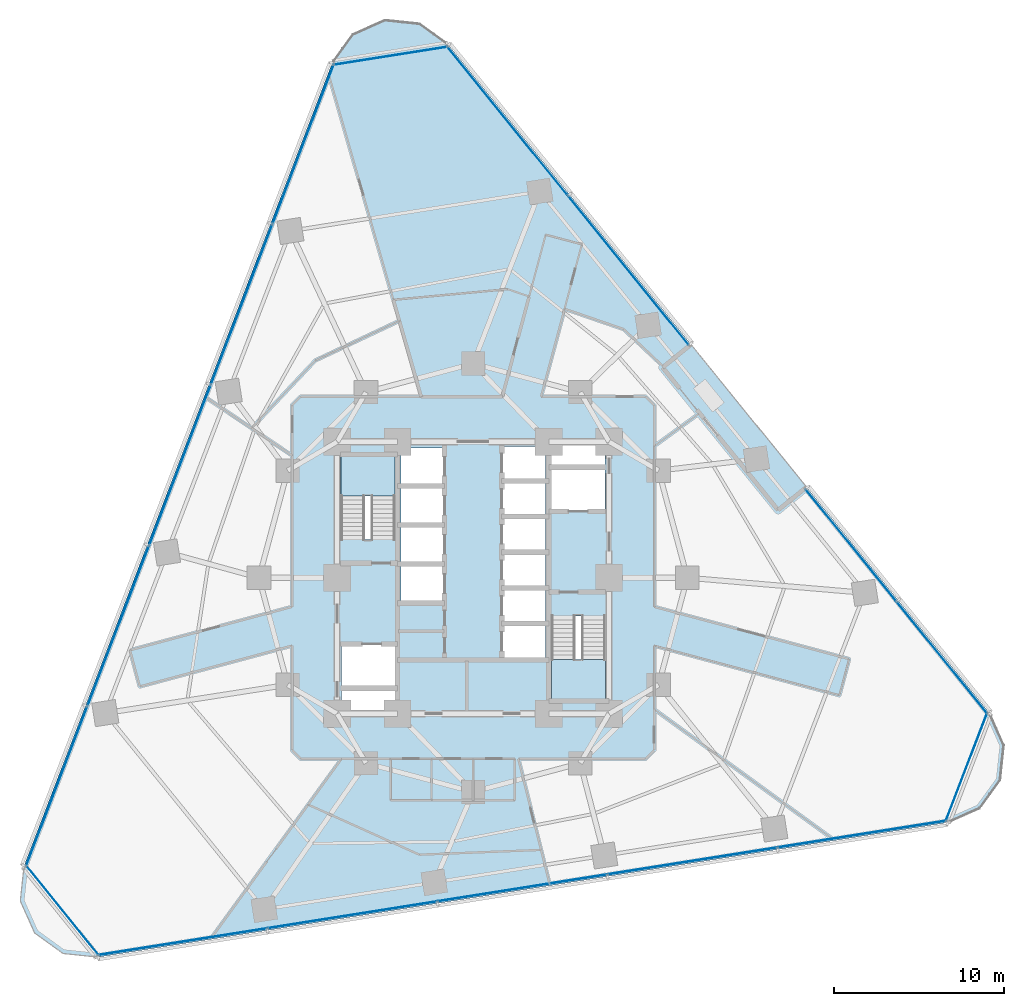
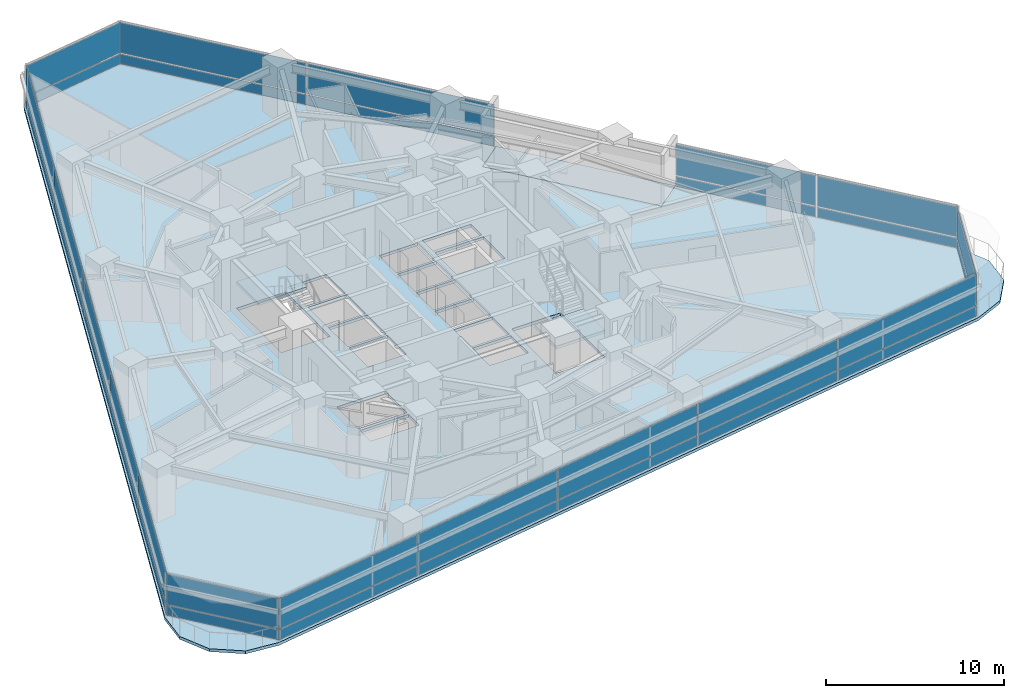
# One storey, part 6 of 14: 34 plates, 4 slabs, 9 elements without a shape of their own.
"""IFC4 building model written with IfcOpenShell, lengths in metres."""

from ifc_helpers import new_model, si_unit, direction, frame, origin, origin_2d, place, context, subcontext, project, spatial, polyline, rectangle, outline, extrude, material, layer, layer_set, type_object, element, aggregate, save


model = new_model("IFC4")

# Units and contexts
model_context = context("Model", 3, precision=1e-05, world=origin(), true_north=direction((0.0, 1.0)))
body_context = subcontext(model_context, "Body", "Model", "MODEL_VIEW")
ifc_project = project(units=[si_unit("LENGTHUNIT", "METRE"), si_unit("AREAUNIT", "SQUARE_METRE"), si_unit("VOLUMEUNIT", "CUBIC_METRE"), si_unit("PLANEANGLEUNIT", "RADIAN"), si_unit("MASSUNIT", "GRAM", prefix="KILO")], contexts=[model_context])

# Site, building, storey
site_placement = place(None, origin())
site = spatial("IfcSite", under=ifc_project, at=site_placement, CompositionType="ELEMENT")
building_placement = place(site_placement, origin())
building = spatial("IfcBuilding", under=site, at=building_placement, Name="Terralouvre Media Tower", CompositionType="ELEMENT")
storey_placement = place(building_placement, frame((0.0, 0.0, 63.0)))
storey = spatial("IfcBuildingStorey", under=building, at=storey_placement, Name="L15", CompositionType="ELEMENT", Elevation=63.0)

# Slabs
ifc_material_1 = material(Name="Concrete C40/50", Category="concrete")
ifc_layer_1 = layer(ifc_material_1, 0.199951171875, Name="Composite Tower Floor Slab S-TYP200")
ifc_layer_set_1 = layer_set([ifc_layer_1], Name="Concrete C40/50")
slab_type_1 = type_object("IfcSlabType", Name="Composite Tower Floor Slab S-TYP200", PredefinedType="FLOOR", material=ifc_layer_set_1)
slab_1_placement = place(storey_placement, frame((0.0, 0.0, -0.199951171875), z_axis=(0.0, 0.0, 1.0), x_axis=(0.987688340595, 0.15643446504, 0.0)))
element("IfcSlab", 1, at=slab_1_placement, inside=storey, type_object=slab_type_1, Name="L15 Structural Floor Slab", PredefinedType="FLOOR", context=body_context, shape_type="SweptSolid", body=[
    extrude(outline(polyline([(28.766845703125, -12.62841796875), (20.206787109375, 2.19775390625), (18.3447265625, 1.122802734375), (12.94482421875, 10.475830078125), (14.806884765625, 11.551025390625), (3.44677734375, 31.22705078125), (1.989990234375, 32.683837890625), (0.0, 33.217041015625), (-1.989990234375, 32.683837890625), (-3.44677734375, 31.22705078125), (-28.766845703125, -12.62841796875), (-29.300048828125, -14.618408203125), (-28.766845703125, -16.6083984375), (-27.31005859375, -18.065185546875), (-25.320068359375, -18.598388671875), (25.320068359375, -18.598388671875), (27.31005859375, -18.065185546875), (28.766845703125, -16.6083984375), (29.300048828125, -14.618408203125), (28.766845703125, -12.62841796875)]), holes=[polyline([(-5.763671875, -6.984375), (-8.874755859375, -6.49169921875), (-8.68701171875, -5.306396484375), (-5.575927734375, -5.799072265625), (-5.763671875, -6.984375)]), polyline([(-5.54443359375, -5.6015625), (-8.65576171875, -5.10888671875), (-8.2724609375, -2.68896484375), (-5.161376953125, -3.181884765625), (-5.54443359375, -5.6015625)]), polyline([(-1.95068359375, -1.128662109375), (-4.419921875, -0.73779296875), (-4.0849609375, 1.3759765625), (-1.61572265625, 0.98486328125), (-1.95068359375, -1.128662109375)]), polyline([(-1.5908203125, 1.142822265625), (-4.06005859375, 1.533935546875), (-3.725341796875, 3.647705078125), (-1.256103515625, 3.256591796875), (-1.5908203125, 1.142822265625)]), polyline([(4.44482421875, 0.895751953125), (1.9755859375, 1.286865234375), (2.279052734375, 3.202880859375), (4.748291015625, 2.811767578125), (4.44482421875, 0.895751953125)]), polyline([(-1.23095703125, 3.41455078125), (-3.7001953125, 3.8056640625), (-3.365478515625, 5.91943359375), (-0.896240234375, 5.5283203125), (-1.23095703125, 3.41455078125)]), polyline([(-4.192138671875, 2.93701171875), (-7.3330078125, 3.434326171875), (-6.548583984375, 8.3876953125), (-3.40771484375, 7.89013671875), (-4.192138671875, 2.93701171875)]), polyline([(-0.87109375, 5.686279296875), (-3.34033203125, 6.077392578125), (-3.005615234375, 8.19091796875), (-0.536376953125, 7.800048828125), (-0.87109375, 5.686279296875)]), polyline([(4.192138671875, -2.93701171875), (7.3330078125, -3.434326171875), (6.548583984375, -8.3876953125), (3.40771484375, -7.89013671875), (4.192138671875, -2.93701171875)]), polyline([(3.459228515625, -5.32666015625), (0.989990234375, -4.935546875), (1.29345703125, -3.01953125), (3.7626953125, -3.41064453125), (3.459228515625, -5.32666015625)]), polyline([(3.787841796875, -3.252685546875), (1.318603515625, -2.861572265625), (1.6220703125, -0.9453125), (4.09130859375, -1.33642578125), (3.787841796875, -3.252685546875)]), polyline([(4.1162109375, -1.178466796875), (1.647216796875, -0.787353515625), (1.95068359375, 1.128662109375), (4.419921875, 0.73779296875), (4.1162109375, -1.178466796875)]), polyline([(4.7734375, 2.9697265625), (2.30419921875, 3.36083984375), (2.607666015625, 5.277099609375), (5.076904296875, 4.885986328125), (4.7734375, 2.9697265625)]), polyline([(8.2724609375, 2.68896484375), (5.161376953125, 3.181884765625), (5.54443359375, 5.6015625), (8.65576171875, 5.10888671875), (8.2724609375, 2.68896484375)]), polyline([(5.101806640625, 5.0439453125), (2.632568359375, 5.43505859375), (2.93603515625, 7.35107421875), (5.4052734375, 6.960205078125), (5.101806640625, 5.0439453125)]), polyline([(8.68701171875, 5.306396484375), (5.575927734375, 5.799072265625), (5.763671875, 6.984375), (8.874755859375, 6.49169921875), (8.68701171875, 5.306396484375)])]), origin(), (0.0, 0.0, 1.0), 0.199951171875),
])
ifc_material_2 = material(Name="Concrete C45/55", Category="concrete")
ifc_layer_2 = layer(ifc_material_2, 0.2099609375, Name="Planted Sky-Garden External Deck S-TER210")
ifc_layer_set_2 = layer_set([ifc_layer_2], Name="Concrete C45/55")
slab_type_2 = type_object("IfcSlabType", Name="Planted Sky-Garden External Deck S-TER210", PredefinedType="FLOOR", material=ifc_layer_set_2)
slab_2_placement = place(storey_placement, frame((0.0, 0.0, -0.2099609375), z_axis=(0.0, 0.0, 1.0), x_axis=(0.987688340595, 0.15643446504, 0.0)))
element("IfcSlab", 2, at=slab_2_placement, inside=storey, type_object=slab_type_2, Name="L15 Helical Planted Sky-Garden Deck 03", PredefinedType="FLOOR", context=body_context, shape_type="SweptSolid", body=[
    extrude(outline(polyline([(20.206787109375, 2.19775390625), (14.806884765625, 11.551025390625), (12.94482421875, 10.475830078125), (18.3447265625, 1.122802734375), (20.206787109375, 2.19775390625)])), origin(), (0.0, 0.0, 1.0), 0.2099609375),
])

# Stair, slab
ifc_material_3 = material(Name="Concrete C45/55", Category="concrete")
stair_type_1 = type_object("IfcStairType", Name="Dogleg Stair Assembly ST-01", PredefinedType="HALF_TURN_STAIR", material=ifc_material_3)
stair_1_placement = place(storey_placement, origin())
stair_1 = element("IfcStair", 3, at=stair_1_placement, inside=storey, type_object=stair_type_1, Name="L15 Core Pressurised Exit Stair ST-01", PredefinedType="HALF_TURN_STAIR")
ifc_material_4 = material(Name="Concrete C45/55", Category="concrete")
ifc_layer_3 = layer(ifc_material_4, 0.199951171875, Name="Reinforced Concrete Stair Half-Landing SL-LD1")
ifc_layer_set_3 = layer_set([ifc_layer_3], Name="Concrete C45/55")
slab_type_3 = type_object("IfcSlabType", Name="Reinforced Concrete Stair Half-Landing SL-LD1", PredefinedType="LANDING", material=ifc_layer_set_3)
slab_3_placement = place(storey_placement, frame((0.0, 0.0, 1.64990234375)))
slab_3 = element("IfcSlab", 4, at=slab_3_placement, type_object=slab_type_3, Name="ST-01 landing 1", PredefinedType="LANDING", context=body_context, shape_type="SweptSolid", body=[
    extrude(outline(polyline([(-4.60009765625, 4.820068359375), (-4.60009765625, 7.260009765625), (-7.780029296875, 7.260009765625), (-7.780029296875, 4.820068359375), (-4.60009765625, 4.820068359375)])), origin(), (0.0, 0.0, 1.0), 0.2001953125),
])
aggregate(stair_1, [slab_3])

ifc_material_5 = material(Name="Concrete C45/55", Category="concrete")
stair_type_2 = type_object("IfcStairType", Name="Dogleg Stair Assembly ST-02", PredefinedType="HALF_TURN_STAIR", material=ifc_material_5)
stair_2_placement = place(storey_placement, origin())
stair_2 = element("IfcStair", 5, at=stair_2_placement, inside=storey, type_object=stair_type_2, Name="L15 Core Pressurised Exit Stair ST-02", PredefinedType="HALF_TURN_STAIR")
slab_4_placement = place(storey_placement, frame((0.0, 0.0, 1.64990234375)))
slab_4 = element("IfcSlab", 6, at=slab_4_placement, type_object=slab_type_3, Name="ST-02 landing 1", PredefinedType="LANDING", context=body_context, shape_type="SweptSolid", body=[
    extrude(outline(polyline([(4.60009765625, -4.820068359375), (4.60009765625, -7.260009765625), (7.780029296875, -7.260009765625), (7.780029296875, -4.820068359375), (4.60009765625, -4.820068359375)])), origin(), (0.0, 0.0, 1.0), 0.2001953125),
])
aggregate(stair_2, [slab_4])

# Curtain wall, plates
ifc_material_6 = material(Name="Low-iron laminated double glazing with solar-control coating", Category="glass")
ifc_layer_4 = layer(ifc_material_6, 0.1650390625, Name="Rounded Wind-Corner Curved Glazing CW-04")
ifc_layer_set_4 = layer_set([ifc_layer_4], Name="Low-iron laminated double glazing with solar-control coating")
curtain_wall_type_1 = type_object("IfcCurtainWallType", Name="Rounded Wind-Corner Curved Glazing CW-04", PredefinedType="NOTDEFINED", material=ifc_layer_set_4)
curtain_wall_1_placement = place(storey_placement, origin())
curtain_wall_1 = element("IfcCurtainWall", 7, at=curtain_wall_1_placement, inside=storey, type_object=curtain_wall_type_1, Name="L15 Rounded Wind-Corner Curtain Wall C0", PredefinedType="NOTDEFINED")
ifc_material_7 = material(Name="Low-iron laminated double glazing with solar-control coating", Category="glass")
ifc_layer_5 = layer(ifc_material_7, 0.0400390625, Name="Rounded Corner Laminated Vision Panel CWP-03")
ifc_layer_set_5 = layer_set([ifc_layer_5], Name="Low-iron laminated double glazing with solar-control coating")
plate_type_1 = type_object("IfcPlateType", Name="Rounded Corner Laminated Vision Panel CWP-03", PredefinedType="CURTAIN_PANEL", material=ifc_layer_set_5)
plate_1_placement = place(storey_placement, frame((-24.1591796875, -19.563720703125, 0.074951171875), z_axis=(0.0, 0.0, 1.0), x_axis=(0.629320031936, -0.777146252262, 0.0)))
plate_1 = element("IfcPlate", 8, at=plate_1_placement, type_object=plate_type_1, Name="CW-04 panel 1.1", PredefinedType="CURTAIN_PANEL", context=body_context, shape_type="SweptSolid", body=[
    extrude(rectangle(XDim=6.74365234375, YDim=0.035888671875, at=origin_2d()), origin(), (0.0, 0.0, 1.0), 0.6875),
])
plate_2_placement = place(storey_placement, frame((-24.1591796875, -19.563720703125, 0.837646484375), z_axis=(0.0, 0.0, 1.0), x_axis=(0.629320031936, -0.777146252262, 0.0)))
plate_2 = element("IfcPlate", 9, at=plate_2_placement, type_object=plate_type_1, Name="CW-04 panel 1.2", PredefinedType="CURTAIN_PANEL", context=body_context, shape_type="SweptSolid", body=[
    extrude(rectangle(XDim=6.74365234375, YDim=0.035888671875, at=origin_2d()), origin(), (0.0, 0.0, 1.0), 2.08740234375),
])
aggregate(curtain_wall_1, [plate_1, plate_2])

curtain_wall_2_placement = place(storey_placement, origin())
curtain_wall_2 = element("IfcCurtainWall", 10, at=curtain_wall_2_placement, inside=storey, type_object=curtain_wall_type_1, Name="L15 Rounded Wind-Corner Curtain Wall C1", PredefinedType="NOTDEFINED")
plate_3_placement = place(storey_placement, frame((29.022216796875, -11.140625, 0.074951171875), z_axis=(0.0, 0.0, 1.0), x_axis=(0.358367472863, 0.933580609478, 0.0)))
plate_3 = element("IfcPlate", 11, at=plate_3_placement, type_object=plate_type_1, Name="CW-04 panel 1.1", PredefinedType="CURTAIN_PANEL", context=body_context, shape_type="SweptSolid", body=[
    extrude(rectangle(XDim=6.74365234375, YDim=0.035888671875, at=origin_2d()), origin(), (0.0, 0.0, 1.0), 0.6875),
])
plate_4_placement = place(storey_placement, frame((29.022216796875, -11.140625, 0.837646484375), z_axis=(0.0, 0.0, 1.0), x_axis=(0.358367472863, 0.933580609478, 0.0)))
plate_4 = element("IfcPlate", 12, at=plate_4_placement, type_object=plate_type_1, Name="CW-04 panel 1.2", PredefinedType="CURTAIN_PANEL", context=body_context, shape_type="SweptSolid", body=[
    extrude(rectangle(XDim=6.74365234375, YDim=0.035888671875, at=origin_2d()), origin(), (0.0, 0.0, 1.0), 2.08740234375),
])
aggregate(curtain_wall_2, [plate_3, plate_4])

curtain_wall_3_placement = place(storey_placement, origin())
curtain_wall_3 = element("IfcCurtainWall", 13, at=curtain_wall_3_placement, inside=storey, type_object=curtain_wall_type_1, Name="L15 Rounded Wind-Corner Curtain Wall C2", PredefinedType="NOTDEFINED")
plate_5_placement = place(storey_placement, frame((-4.863037109375, 30.704345703125, 0.074951171875), z_axis=(0.0, 0.0, 1.0), x_axis=(-0.987688353034, -0.156434386502, 0.0)))
plate_5 = element("IfcPlate", 14, at=plate_5_placement, type_object=plate_type_1, Name="CW-04 panel 1.1", PredefinedType="CURTAIN_PANEL", context=body_context, shape_type="SweptSolid", body=[
    extrude(rectangle(XDim=6.74365234375, YDim=0.035888671875, at=origin_2d()), origin(), (0.0, 0.0, 1.0), 0.6875),
])
plate_6_placement = place(storey_placement, frame((-4.863037109375, 30.704345703125, 0.837646484375), z_axis=(0.0, 0.0, 1.0), x_axis=(-0.987688353034, -0.156434386502, 0.0)))
plate_6 = element("IfcPlate", 15, at=plate_6_placement, type_object=plate_type_1, Name="CW-04 panel 1.2", PredefinedType="CURTAIN_PANEL", context=body_context, shape_type="SweptSolid", body=[
    extrude(rectangle(XDim=6.74365234375, YDim=0.035888671875, at=origin_2d()), origin(), (0.0, 0.0, 1.0), 2.08740234375),
])
aggregate(curtain_wall_3, [plate_5, plate_6])

ifc_material_8 = material(Name="Low-iron laminated double glazing with solar-control coating", Category="glass")
ifc_layer_6 = layer(ifc_material_8, 0.1650390625, Name="Lower Media Tower Unitised Curtain Wall CW-02")
ifc_layer_set_6 = layer_set([ifc_layer_6], Name="Low-iron laminated double glazing with solar-control coating")
curtain_wall_type_2 = type_object("IfcCurtainWallType", Name="Lower Media Tower Unitised Curtain Wall CW-02", PredefinedType="NOTDEFINED", material=ifc_layer_set_6)
curtain_wall_4_placement = place(storey_placement, origin())
curtain_wall_4 = element("IfcCurtainWall", 16, at=curtain_wall_4_placement, inside=storey, type_object=curtain_wall_type_2, Name="L15 Facade Curtain Wall F0", PredefinedType="NOTDEFINED")
ifc_material_9 = material(Name="Low-iron laminated double glazing with solar-control coating", Category="glass")
ifc_layer_7 = layer(ifc_material_9, 0.035888671875, Name="Vision Double-Glazed Unit CWP-01")
ifc_layer_set_7 = layer_set([ifc_layer_7], Name="Low-iron laminated double glazing with solar-control coating")
plate_type_2 = type_object("IfcPlateType", Name="Vision Double-Glazed Unit CWP-01", PredefinedType="CURTAIN_PANEL", material=ifc_layer_set_7)
plate_7_placement = place(storey_placement, frame((-17.097412109375, -21.416748046875, 0.074951171875), z_axis=(0.0, 0.0, 1.0), x_axis=(0.987688340934, 0.156434462903, 0.0)))
plate_7 = element("IfcPlate", 17, at=plate_7_placement, type_object=plate_type_2, Name="CW-02 panel 1.1", PredefinedType="CURTAIN_PANEL", context=body_context, shape_type="SweptSolid", body=[
    extrude(rectangle(XDim=10.015380859375, YDim=0.035888671875, at=origin_2d()), origin(), (0.0, 0.0, 1.0), 0.6875),
])
plate_8_placement = place(storey_placement, frame((-17.097412109375, -21.416748046875, 0.837646484375), z_axis=(0.0, 0.0, 1.0), x_axis=(0.987688340934, 0.156434462903, 0.0)))
plate_8 = element("IfcPlate", 18, at=plate_8_placement, type_object=plate_type_2, Name="CW-02 panel 1.2", PredefinedType="CURTAIN_PANEL", context=body_context, shape_type="SweptSolid", body=[
    extrude(rectangle(XDim=10.015380859375, YDim=0.035888671875, at=origin_2d()), origin(), (0.0, 0.0, 1.0), 2.08740234375),
])
plate_9_placement = place(storey_placement, frame((-7.112548828125, -19.83544921875, 0.074951171875), z_axis=(0.0, 0.0, 1.0), x_axis=(0.987688340934, 0.156434462903, 0.0)))
plate_9 = element("IfcPlate", 19, at=plate_9_placement, type_object=plate_type_2, Name="CW-02 panel 2.1", PredefinedType="CURTAIN_PANEL", context=body_context, shape_type="SweptSolid", body=[
    extrude(rectangle(XDim=10.052978515625, YDim=0.035888671875, at=origin_2d()), origin(), (0.0, 0.0, 1.0), 0.6875),
])
plate_10_placement = place(storey_placement, frame((-7.112548828125, -19.83544921875, 0.837646484375), z_axis=(0.0, 0.0, 1.0), x_axis=(0.987688340934, 0.156434462903, 0.0)))
plate_10 = element("IfcPlate", 20, at=plate_10_placement, type_object=plate_type_2, Name="CW-02 panel 2.2", PredefinedType="CURTAIN_PANEL", context=body_context, shape_type="SweptSolid", body=[
    extrude(rectangle(XDim=10.052978515625, YDim=0.035888671875, at=origin_2d()), origin(), (0.0, 0.0, 1.0), 2.08740234375),
])
plate_11_placement = place(storey_placement, frame((2.890625, -18.2509765625, 0.074951171875), z_axis=(0.0, 0.0, 1.0), x_axis=(0.987688340934, 0.156434462903, 0.0)))
plate_11 = element("IfcPlate", 21, at=plate_11_placement, type_object=plate_type_2, Name="CW-02 panel 3.1", PredefinedType="CURTAIN_PANEL", context=body_context, shape_type="SweptSolid", body=[
    extrude(rectangle(XDim=10.052978515625, YDim=0.035888671875, at=origin_2d()), origin(), (0.0, 0.0, 1.0), 0.6875),
])
plate_12_placement = place(storey_placement, frame((2.890625, -18.2509765625, 0.837646484375), z_axis=(0.0, 0.0, 1.0), x_axis=(0.987688340934, 0.156434462903, 0.0)))
plate_12 = element("IfcPlate", 22, at=plate_12_placement, type_object=plate_type_2, Name="CW-02 panel 3.2", PredefinedType="CURTAIN_PANEL", context=body_context, shape_type="SweptSolid", body=[
    extrude(rectangle(XDim=10.052978515625, YDim=0.035888671875, at=origin_2d()), origin(), (0.0, 0.0, 1.0), 2.08740234375),
])
plate_13_placement = place(storey_placement, frame((12.89404296875, -16.666748046875, 0.074951171875), z_axis=(0.0, 0.0, 1.0), x_axis=(0.987688340934, 0.156434462903, 0.0)))
plate_13 = element("IfcPlate", 23, at=plate_13_placement, type_object=plate_type_2, Name="CW-02 panel 4.1", PredefinedType="CURTAIN_PANEL", context=body_context, shape_type="SweptSolid", body=[
    extrude(rectangle(XDim=10.052978515625, YDim=0.035888671875, at=origin_2d()), origin(), (0.0, 0.0, 1.0), 0.6875),
])
plate_14_placement = place(storey_placement, frame((12.89404296875, -16.666748046875, 0.837646484375), z_axis=(0.0, 0.0, 1.0), x_axis=(0.987688340934, 0.156434462903, 0.0)))
plate_14 = element("IfcPlate", 24, at=plate_14_placement, type_object=plate_type_2, Name="CW-02 panel 4.2", PredefinedType="CURTAIN_PANEL", context=body_context, shape_type="SweptSolid", body=[
    extrude(rectangle(XDim=10.052978515625, YDim=0.035888671875, at=origin_2d()), origin(), (0.0, 0.0, 1.0), 2.08740234375),
])
plate_15_placement = place(storey_placement, frame((22.878662109375, -15.085205078125, 0.074951171875), z_axis=(0.0, 0.0, 1.0), x_axis=(0.987688340934, 0.156434462903, 0.0)))
plate_15 = element("IfcPlate", 25, at=plate_15_placement, type_object=plate_type_2, Name="CW-02 panel 5.1", PredefinedType="CURTAIN_PANEL", context=body_context, shape_type="SweptSolid", body=[
    extrude(rectangle(XDim=10.015380859375, YDim=0.035888671875, at=origin_2d()), origin(), (0.0, 0.0, 1.0), 0.6875),
])
plate_16_placement = place(storey_placement, frame((22.878662109375, -15.085205078125, 0.837646484375), z_axis=(0.0, 0.0, 1.0), x_axis=(0.987688340934, 0.156434462903, 0.0)))
plate_16 = element("IfcPlate", 26, at=plate_16_placement, type_object=plate_type_2, Name="CW-02 panel 5.2", PredefinedType="CURTAIN_PANEL", context=body_context, shape_type="SweptSolid", body=[
    extrude(rectangle(XDim=10.015380859375, YDim=0.035888671875, at=origin_2d()), origin(), (0.0, 0.0, 1.0), 2.08740234375),
])
aggregate(curtain_wall_4, [plate_7, plate_8, plate_9, plate_10, plate_11, plate_12, plate_13, plate_14, plate_15, plate_16])

curtain_wall_5_placement = place(storey_placement, origin())
curtain_wall_5 = element("IfcCurtainWall", 27, at=curtain_wall_5_placement, inside=storey, type_object=curtain_wall_type_2, Name="L15 Left Flank Curtain Wall F1", PredefinedType="NOTDEFINED")
plate_17_placement = place(storey_placement, frame((27.589599609375, -4.707763671875, 0.074951171875), z_axis=(0.0, 0.0, 1.0), x_axis=(-0.62932017875, 0.777146133374, 0.0)))
plate_17 = element("IfcPlate", 28, at=plate_17_placement, type_object=plate_type_2, Name="CW-02 panel 1.1", PredefinedType="CURTAIN_PANEL", context=body_context, shape_type="SweptSolid", body=[
    extrude(rectangle(XDim=8.447509765625, YDim=0.035888671875, at=origin_2d()), origin(), (0.0, 0.0, 1.0), 0.6875),
])
plate_18_placement = place(storey_placement, frame((27.589599609375, -4.707763671875, 0.837646484375), z_axis=(0.0, 0.0, 1.0), x_axis=(-0.62932017875, 0.777146133374, 0.0)))
plate_18 = element("IfcPlate", 29, at=plate_18_placement, type_object=plate_type_2, Name="CW-02 panel 1.2", PredefinedType="CURTAIN_PANEL", context=body_context, shape_type="SweptSolid", body=[
    extrude(rectangle(XDim=8.447509765625, YDim=0.035888671875, at=origin_2d()), origin(), (0.0, 0.0, 1.0), 2.08740234375),
])
plate_19_placement = place(storey_placement, frame((22.226318359375, 1.91552734375, 0.074951171875), z_axis=(0.0, 0.0, 1.0), x_axis=(-0.62932017875, 0.777146133374, 0.0)))
plate_19 = element("IfcPlate", 30, at=plate_19_placement, type_object=plate_type_2, Name="CW-02 panel 2.1", PredefinedType="CURTAIN_PANEL", context=body_context, shape_type="SweptSolid", body=[
    extrude(rectangle(XDim=8.447509765625, YDim=0.035888671875, at=origin_2d()), origin(), (0.0, 0.0, 1.0), 0.6875),
])
plate_20_placement = place(storey_placement, frame((22.226318359375, 1.91552734375, 0.837646484375), z_axis=(0.0, 0.0, 1.0), x_axis=(-0.62932017875, 0.777146133374, 0.0)))
plate_20 = element("IfcPlate", 31, at=plate_20_placement, type_object=plate_type_2, Name="CW-02 panel 2.2", PredefinedType="CURTAIN_PANEL", context=body_context, shape_type="SweptSolid", body=[
    extrude(rectangle(XDim=8.447509765625, YDim=0.035888671875, at=origin_2d()), origin(), (0.0, 0.0, 1.0), 2.08740234375),
])
aggregate(curtain_wall_5, [plate_17, plate_18, plate_19, plate_20])

curtain_wall_6_placement = place(storey_placement, origin())
curtain_wall_6 = element("IfcCurtainWall", 32, at=curtain_wall_6_placement, inside=storey, type_object=curtain_wall_type_2, Name="L15 Right Flank Curtain Wall F1", PredefinedType="NOTDEFINED")
plate_21_placement = place(storey_placement, frame((9.137939453125, 18.078125, 0.074951171875), z_axis=(0.0, 0.0, 1.0), x_axis=(-0.629320595049, 0.777145796262, 0.0)))
plate_21 = element("IfcPlate", 33, at=plate_21_placement, type_object=plate_type_2, Name="CW-02 panel 1.1", PredefinedType="CURTAIN_PANEL", context=body_context, shape_type="SweptSolid", body=[
    extrude(rectangle(XDim=11.24755859375, YDim=0.035888671875, at=origin_2d()), origin(), (0.0, 0.0, 1.0), 0.6875),
])
plate_22_placement = place(storey_placement, frame((9.137939453125, 18.078125, 0.837646484375), z_axis=(0.0, 0.0, 1.0), x_axis=(-0.629320595049, 0.777145796262, 0.0)))
plate_22 = element("IfcPlate", 34, at=plate_22_placement, type_object=plate_type_2, Name="CW-02 panel 1.2", PredefinedType="CURTAIN_PANEL", context=body_context, shape_type="SweptSolid", body=[
    extrude(rectangle(XDim=11.24755859375, YDim=0.035888671875, at=origin_2d()), origin(), (0.0, 0.0, 1.0), 2.08740234375),
])
plate_23_placement = place(storey_placement, frame((2.012451171875, 26.87744140625, 0.074951171875), z_axis=(0.0, 0.0, 1.0), x_axis=(-0.629320595049, 0.777145796262, 0.0)))
plate_23 = element("IfcPlate", 35, at=plate_23_placement, type_object=plate_type_2, Name="CW-02 panel 2.1", PredefinedType="CURTAIN_PANEL", context=body_context, shape_type="SweptSolid", body=[
    extrude(rectangle(XDim=11.24755859375, YDim=0.035888671875, at=origin_2d()), origin(), (0.0, 0.0, 1.0), 0.6875),
])
plate_24_placement = place(storey_placement, frame((2.012451171875, 26.87744140625, 0.837646484375), z_axis=(0.0, 0.0, 1.0), x_axis=(-0.629320595049, 0.777145796262, 0.0)))
plate_24 = element("IfcPlate", 36, at=plate_24_placement, type_object=plate_type_2, Name="CW-02 panel 2.2", PredefinedType="CURTAIN_PANEL", context=body_context, shape_type="SweptSolid", body=[
    extrude(rectangle(XDim=11.24755859375, YDim=0.035888671875, at=origin_2d()), origin(), (0.0, 0.0, 1.0), 2.08740234375),
])
aggregate(curtain_wall_6, [plate_21, plate_22, plate_23, plate_24])

curtain_wall_7_placement = place(storey_placement, origin())
curtain_wall_7 = element("IfcCurtainWall", 37, at=curtain_wall_7_placement, inside=storey, type_object=curtain_wall_type_2, Name="L15 Facade Curtain Wall F2", PredefinedType="NOTDEFINED")
plate_25_placement = place(storey_placement, frame((-9.998779296875, 25.51513671875, 0.074951171875), z_axis=(0.0, 0.0, 1.0), x_axis=(-0.358367917006, -0.933580438988, 0.0)))
plate_25 = element("IfcPlate", 38, at=plate_25_placement, type_object=plate_type_2, Name="CW-02 panel 1.1", PredefinedType="CURTAIN_PANEL", context=body_context, shape_type="SweptSolid", body=[
    extrude(rectangle(XDim=10.015380859375, YDim=0.035888671875, at=origin_2d()), origin(), (0.0, 0.0, 1.0), 0.6875),
])
plate_26_placement = place(storey_placement, frame((-9.998779296875, 25.51513671875, 0.837646484375), z_axis=(0.0, 0.0, 1.0), x_axis=(-0.358367917006, -0.933580438988, 0.0)))
plate_26 = element("IfcPlate", 39, at=plate_26_placement, type_object=plate_type_2, Name="CW-02 panel 1.2", PredefinedType="CURTAIN_PANEL", context=body_context, shape_type="SweptSolid", body=[
    extrude(rectangle(XDim=10.015380859375, YDim=0.035888671875, at=origin_2d()), origin(), (0.0, 0.0, 1.0), 2.08740234375),
])
plate_27_placement = place(storey_placement, frame((-13.62158203125, 16.077392578125, 0.074951171875), z_axis=(0.0, 0.0, 1.0), x_axis=(-0.358367917006, -0.933580438988, 0.0)))
plate_27 = element("IfcPlate", 40, at=plate_27_placement, type_object=plate_type_2, Name="CW-02 panel 2.1", PredefinedType="CURTAIN_PANEL", context=body_context, shape_type="SweptSolid", body=[
    extrude(rectangle(XDim=10.052978515625, YDim=0.035888671875, at=origin_2d()), origin(), (0.0, 0.0, 1.0), 0.6875),
])
plate_28_placement = place(storey_placement, frame((-13.62158203125, 16.077392578125, 0.837646484375), z_axis=(0.0, 0.0, 1.0), x_axis=(-0.358367917006, -0.933580438988, 0.0)))
plate_28 = element("IfcPlate", 41, at=plate_28_placement, type_object=plate_type_2, Name="CW-02 panel 2.2", PredefinedType="CURTAIN_PANEL", context=body_context, shape_type="SweptSolid", body=[
    extrude(rectangle(XDim=10.052978515625, YDim=0.035888671875, at=origin_2d()), origin(), (0.0, 0.0, 1.0), 2.08740234375),
])
plate_29_placement = place(storey_placement, frame((-17.251220703125, 6.6220703125, 0.074951171875), z_axis=(0.0, 0.0, 1.0), x_axis=(-0.358367917006, -0.933580438988, 0.0)))
plate_29 = element("IfcPlate", 42, at=plate_29_placement, type_object=plate_type_2, Name="CW-02 panel 3.1", PredefinedType="CURTAIN_PANEL", context=body_context, shape_type="SweptSolid", body=[
    extrude(rectangle(XDim=10.052978515625, YDim=0.035888671875, at=origin_2d()), origin(), (0.0, 0.0, 1.0), 0.6875),
])
plate_30_placement = place(storey_placement, frame((-17.251220703125, 6.6220703125, 0.837646484375), z_axis=(0.0, 0.0, 1.0), x_axis=(-0.358367917006, -0.933580438988, 0.0)))
plate_30 = element("IfcPlate", 43, at=plate_30_placement, type_object=plate_type_2, Name="CW-02 panel 3.2", PredefinedType="CURTAIN_PANEL", context=body_context, shape_type="SweptSolid", body=[
    extrude(rectangle(XDim=10.052978515625, YDim=0.035888671875, at=origin_2d()), origin(), (0.0, 0.0, 1.0), 2.08740234375),
])
plate_31_placement = place(storey_placement, frame((-20.880615234375, -2.833251953125, 0.074951171875), z_axis=(0.0, 0.0, 1.0), x_axis=(-0.358367917006, -0.933580438988, 0.0)))
plate_31 = element("IfcPlate", 44, at=plate_31_placement, type_object=plate_type_2, Name="CW-02 panel 4.1", PredefinedType="CURTAIN_PANEL", context=body_context, shape_type="SweptSolid", body=[
    extrude(rectangle(XDim=10.052978515625, YDim=0.035888671875, at=origin_2d()), origin(), (0.0, 0.0, 1.0), 0.6875),
])
plate_32_placement = place(storey_placement, frame((-20.880615234375, -2.833251953125, 0.837646484375), z_axis=(0.0, 0.0, 1.0), x_axis=(-0.358367917006, -0.933580438988, 0.0)))
plate_32 = element("IfcPlate", 45, at=plate_32_placement, type_object=plate_type_2, Name="CW-02 panel 4.2", PredefinedType="CURTAIN_PANEL", context=body_context, shape_type="SweptSolid", body=[
    extrude(rectangle(XDim=10.052978515625, YDim=0.035888671875, at=origin_2d()), origin(), (0.0, 0.0, 1.0), 2.08740234375),
])
plate_33_placement = place(storey_placement, frame((-24.503662109375, -12.27099609375, 0.074951171875), z_axis=(0.0, 0.0, 1.0), x_axis=(-0.358367917006, -0.933580438988, 0.0)))
plate_33 = element("IfcPlate", 46, at=plate_33_placement, type_object=plate_type_2, Name="CW-02 panel 5.1", PredefinedType="CURTAIN_PANEL", context=body_context, shape_type="SweptSolid", body=[
    extrude(rectangle(XDim=10.015380859375, YDim=0.035888671875, at=origin_2d()), origin(), (0.0, 0.0, 1.0), 0.6875),
])
plate_34_placement = place(storey_placement, frame((-24.503662109375, -12.27099609375, 0.837646484375), z_axis=(0.0, 0.0, 1.0), x_axis=(-0.358367917006, -0.933580438988, 0.0)))
plate_34 = element("IfcPlate", 47, at=plate_34_placement, type_object=plate_type_2, Name="CW-02 panel 5.2", PredefinedType="CURTAIN_PANEL", context=body_context, shape_type="SweptSolid", body=[
    extrude(rectangle(XDim=10.015380859375, YDim=0.035888671875, at=origin_2d()), origin(), (0.0, 0.0, 1.0), 2.08740234375),
])
aggregate(curtain_wall_7, [plate_25, plate_26, plate_27, plate_28, plate_29, plate_30, plate_31, plate_32, plate_33, plate_34])

save(model, "model.ifc")
